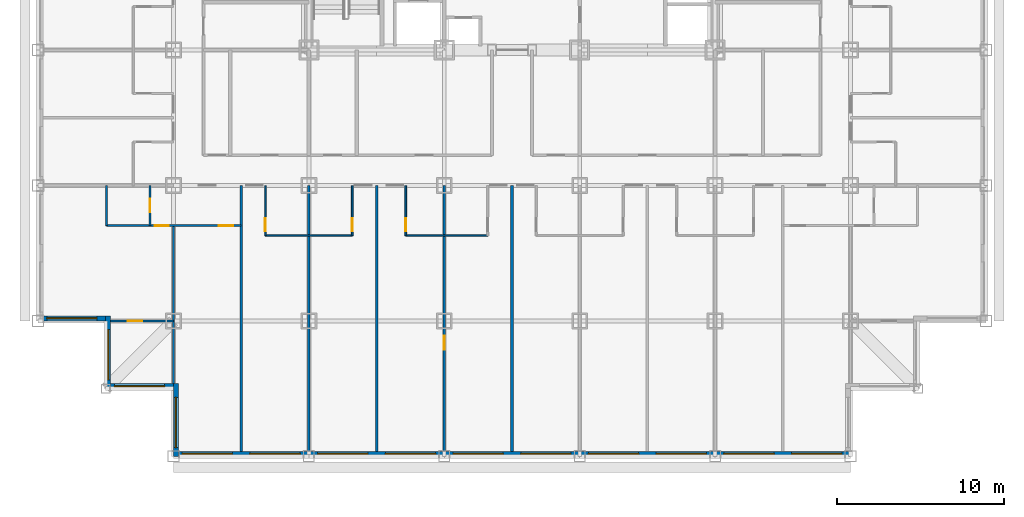
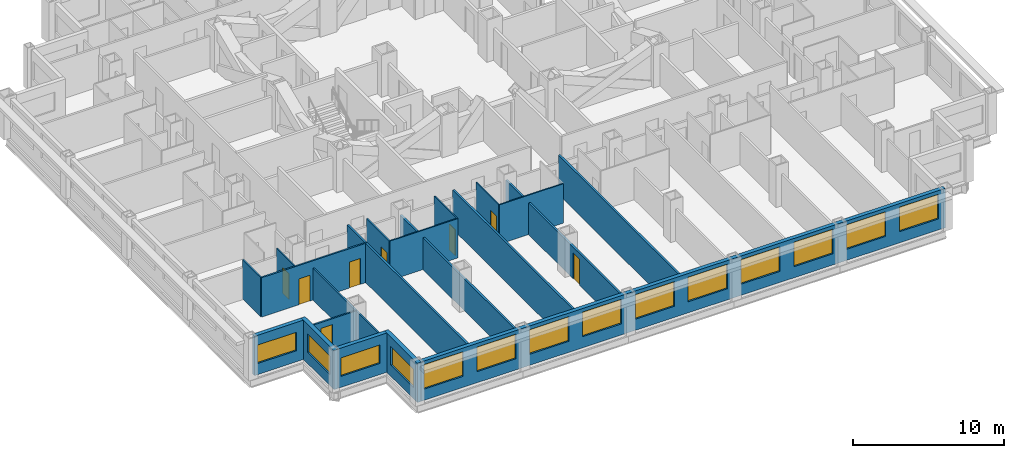
# One storey, part 3 of 12: 20 walls, 14 windows, 8 doors, 22 openings.
"""IFC4 building model written with IfcOpenShell, lengths in metres."""

from ifc_helpers import new_model, si_unit, direction, frame, frame_2d, origin, place, context, subcontext, project, spatial, rectangle, extrude, material, layer, layer_set, type_object, element, fill, save


model = new_model("IFC4")

# Units and contexts
model_context = context("Model", 3, precision=1e-05, world=origin(), true_north=direction((0.0, 1.0)))
body_context = subcontext(model_context, "Body", "Model", "MODEL_VIEW")
ifc_project = project(units=[si_unit("LENGTHUNIT", "METRE"), si_unit("AREAUNIT", "SQUARE_METRE"), si_unit("VOLUMEUNIT", "CUBIC_METRE"), si_unit("PLANEANGLEUNIT", "RADIAN"), si_unit("MASSUNIT", "GRAM", prefix="KILO")], contexts=[model_context])

# Site, building, storey
site_placement = place(None, origin())
site = spatial("IfcSite", under=ifc_project, at=site_placement, CompositionType="ELEMENT")
building_placement = place(site_placement, origin())
building = spatial("IfcBuilding", under=site, at=building_placement, Name="Kopane Lantern Tower", CompositionType="ELEMENT")
storey_placement = place(building_placement, frame((0.0, 0.0, 46.60009765625)))
storey = spatial("IfcBuildingStorey", under=building, at=storey_placement, Name="L10", CompositionType="ELEMENT", Elevation=46.60009765625)

# Wall, openings, doors
ifc_material_1 = material(Name="Gypsum board on steel studs", Category="steel")
ifc_layer_1 = layer(ifc_material_1, 0.1201171875)
ifc_layer_set_1 = layer_set([ifc_layer_1], Name="APARTMENT INTERNAL WALL 120")
wall_type_1 = type_object("IfcWallType", Name="APARTMENT INTERNAL WALL 120", PredefinedType="PARTITIONING", material=ifc_layer_set_1)
wall_1_placement = place(storey_placement, frame((4.10009765625, 13.800048828125, 0.0), z_axis=(0.0, 0.0, 1.0), x_axis=(1.0, 0.0, 0.0)))
wall_1 = element("IfcWall", 1, at=wall_1_placement, inside=storey, type_object=wall_type_1, Name="Apartment Internal Wall 120 L10", PredefinedType="PARTITIONING", context=body_context, shape_type="SweptSolid", body=[
    extrude(rectangle(XDim=8.0498046875, YDim=0.1201171875, at=frame_2d((4.02490234375, 0.0))), origin(), (0.0, 0.0, 1.0), 3.18994140625),
])
opening_1_placement = place(wall_1_placement, frame((6.72509765625, 0.0, 0.0)))
opening_1 = element("IfcOpeningElement", 2, at=opening_1_placement, cuts=wall_1, Name="Opening L10-074", PredefinedType="OPENING", context=body_context, shape_type="SweptSolid", body=[
    extrude(rectangle(XDim=0.85009765625, YDim=2.10009765625, at=frame_2d((0.425048828125, 1.050048828125))), frame((0.0, 0.070068359375, 0.0), z_axis=(0.0, -1.0, 0.0), x_axis=(1.0, 0.0, 0.0)), (0.0, 0.0, 1.0), 0.14013671875),
])
opening_2_placement = place(wall_1_placement, frame((2.875, 0.0, 0.0)))
opening_2 = element("IfcOpeningElement", 3, at=opening_2_placement, cuts=wall_1, Name="Opening L10-076", PredefinedType="OPENING", context=body_context, shape_type="SweptSolid", body=[
    extrude(rectangle(XDim=0.85009765625, YDim=2.10009765625, at=frame_2d((0.425048828125, 1.050048828125))), frame((0.0, 0.070068359375, 0.0), z_axis=(0.0, -1.0, 0.0), x_axis=(1.0, 0.0, 0.0)), (0.0, 0.0, 1.0), 0.14013671875),
])
ifc_material_2 = material(Name="Timber door set", Category="wood")
door_type_1 = type_object("IfcDoorType", Name="DOOR D4 850x2100", OperationType="SINGLE_SWING_LEFT", PredefinedType="DOOR", material=ifc_material_2)
door_1_placement = place(opening_1_placement, origin())
door_1 = element("IfcDoor", 4, at=door_1_placement, inside=storey, type_object=door_type_1, Name="Door L10-074", OperationType="SINGLE_SWING_RIGHT", OverallHeight=2.10009765625, OverallWidth=0.85009765625, PredefinedType="DOOR", context=body_context, shape_type="SweptSolid", body=[
    extrude(rectangle(XDim=0.85009765625, YDim=2.10009765625, at=frame_2d((0.425048828125, 1.050048828125))), frame((0.0, 0.02490234375, 0.0), z_axis=(0.0, -1.0, 0.0), x_axis=(1.0, 0.0, 0.0)), (0.0, 0.0, 1.0), 0.050048828125),
])
fill(opening_1, door_1)
door_2_placement = place(opening_2_placement, origin())
door_2 = element("IfcDoor", 5, at=door_2_placement, inside=storey, type_object=door_type_1, Name="Door L10-076", OperationType="SINGLE_SWING_LEFT", OverallHeight=2.10009765625, OverallWidth=0.85009765625, PredefinedType="DOOR", context=body_context, shape_type="SweptSolid", body=[
    extrude(rectangle(XDim=0.85009765625, YDim=2.10009765625, at=frame_2d((0.425048828125, 1.050048828125))), frame((0.0, 0.02490234375, 0.0), z_axis=(0.0, -1.0, 0.0), x_axis=(1.0, 0.0, 0.0)), (0.0, 0.0, 1.0), 0.050048828125),
])
fill(opening_2, door_2)

# Wall
wall_2_placement = place(storey_placement, frame((8.10009765625, 13.800048828125, 0.0), z_axis=(0.0, 0.0, 1.0), x_axis=(0.0, -1.0, 0.0)))
element("IfcWall", 6, at=wall_2_placement, inside=storey, type_object=wall_type_1, Name="Apartment Internal Wall 120 L10", PredefinedType="PARTITIONING", context=body_context, shape_type="SweptSolid", body=[
    extrude(rectangle(XDim=9.449951171875, YDim=0.1201171875, at=frame_2d((4.72509765625, 0.0))), origin(), (0.0, 0.0, 1.0), 2.57763671875),
])

# Wall, opening, door
wall_3_placement = place(storey_placement, frame((8.10009765625, 8.10009765625, 0.0), z_axis=(0.0, 0.0, 1.0), x_axis=(-1.0, 0.0, 0.0)))
wall_3 = element("IfcWall", 7, at=wall_3_placement, inside=storey, type_object=wall_type_1, Name="Apartment Internal Wall 120 L10", PredefinedType="PARTITIONING", context=body_context, shape_type="SweptSolid", body=[
    extrude(rectangle(XDim=3.75, YDim=0.1201171875, at=frame_2d((1.875, 0.0))), origin(), (0.0, 0.0, 1.0), 2.57763671875),
])
opening_3_placement = place(wall_3_placement, frame((1.875, 0.0, 0.0)))
opening_3 = element("IfcOpeningElement", 8, at=opening_3_placement, cuts=wall_3, Name="Opening L10-077", PredefinedType="OPENING", context=body_context, shape_type="SweptSolid", body=[
    extrude(rectangle(XDim=0.85009765625, YDim=2.10009765625, at=frame_2d((0.425048828125, 1.050048828125))), frame((0.0, 0.070068359375, 0.0), z_axis=(0.0, -1.0, 0.0), x_axis=(1.0, 0.0, 0.0)), (0.0, 0.0, 1.0), 0.14013671875),
])
door_3_placement = place(opening_3_placement, origin())
door_3 = element("IfcDoor", 9, at=door_3_placement, inside=storey, type_object=door_type_1, Name="Door L10-077", OperationType="SINGLE_SWING_LEFT", OverallHeight=2.10009765625, OverallWidth=0.85009765625, PredefinedType="DOOR", context=body_context, shape_type="SweptSolid", body=[
    extrude(rectangle(XDim=0.85009765625, YDim=2.10009765625, at=frame_2d((0.425048828125, 1.050048828125))), frame((0.0, 0.02490234375, 0.0), z_axis=(0.0, -1.0, 0.0), x_axis=(1.0, 0.0, 0.0)), (0.0, 0.0, 1.0), 0.050048828125),
])
fill(opening_3, door_3)

# Wall
ifc_material_3 = material(Name="Moisture-resistant board on steel studs", Category="steel")
ifc_layer_2 = layer(ifc_material_3, 0.10009765625)
ifc_layer_set_2 = layer_set([ifc_layer_2], Name="BATHROOM WALL 100")
wall_type_2 = type_object("IfcWallType", Name="BATHROOM WALL 100", PredefinedType="PARTITIONING", material=ifc_layer_set_2)
wall_4_placement = place(storey_placement, frame((13.60009765625, 13.199951171875, 0.0), z_axis=(0.0, 0.0, 1.0), x_axis=(1.0, 0.0, 0.0)))
element("IfcWall", 10, at=wall_4_placement, inside=storey, type_object=wall_type_2, Name="Bathroom Wall 100 L10", PredefinedType="PARTITIONING", context=body_context, shape_type="SweptSolid", body=[
    extrude(rectangle(XDim=5.199951171875, YDim=0.10009765625, at=frame_2d((2.60009765625, 0.0))), origin(), (0.0, 0.0, 1.0), 3.18994140625),
])

# Wall, opening, door
wall_5_placement = place(storey_placement, frame((13.60009765625, 16.199951171875, 0.0), z_axis=(0.0, 0.0, 1.0), x_axis=(0.0, -1.0, 0.0)))
wall_5 = element("IfcWall", 11, at=wall_5_placement, inside=storey, type_object=wall_type_2, Name="Bathroom Wall 100 L10", PredefinedType="PARTITIONING", context=body_context, shape_type="SweptSolid", body=[
    extrude(rectangle(XDim=3.0, YDim=0.10009765625, at=frame_2d((1.5, 0.0))), origin(), (0.0, 0.0, 1.0), 3.18994140625),
])
opening_4_placement = place(wall_5_placement, frame((1.949951171875, 0.0, 0.0)))
opening_4 = element("IfcOpeningElement", 12, at=opening_4_placement, cuts=wall_5, Name="Opening L10-016", PredefinedType="OPENING", context=body_context, shape_type="SweptSolid", body=[
    extrude(rectangle(XDim=0.800048828125, YDim=2.10009765625, at=frame_2d((0.39990234375, 1.050048828125))), frame((0.0, 0.06005859375, 0.0), z_axis=(0.0, -1.0, 0.0), x_axis=(1.0, 0.0, 0.0)), (0.0, 0.0, 1.0), 0.1201171875),
])
ifc_material_4 = material(Name="Timber door set", Category="wood")
door_type_2 = type_object("IfcDoorType", Name="DOOR D2 800x2100", OperationType="SINGLE_SWING_LEFT", PredefinedType="DOOR", material=ifc_material_4)
door_4_placement = place(opening_4_placement, origin())
door_4 = element("IfcDoor", 13, at=door_4_placement, inside=storey, type_object=door_type_2, Name="Door L10-016", OperationType="SINGLE_SWING_RIGHT", OverallHeight=2.10009765625, OverallWidth=0.800048828125, PredefinedType="DOOR", context=body_context, shape_type="SweptSolid", body=[
    extrude(rectangle(XDim=0.800048828125, YDim=2.10009765625, at=frame_2d((0.39990234375, 1.050048828125))), frame((0.0, 0.02490234375, 0.0), z_axis=(0.0, -1.0, 0.0), x_axis=(1.0, 0.0, 0.0)), (0.0, 0.0, 1.0), 0.050048828125),
])
fill(opening_4, door_4)

wall_6_placement = place(storey_placement, frame((18.800048828125, 16.199951171875, 0.0), z_axis=(0.0, 0.0, 1.0), x_axis=(0.0, -1.0, 0.0)))
wall_6 = element("IfcWall", 14, at=wall_6_placement, inside=storey, type_object=wall_type_2, Name="Bathroom Wall 100 L10", PredefinedType="PARTITIONING", context=body_context, shape_type="SweptSolid", body=[
    extrude(rectangle(XDim=3.0, YDim=0.10009765625, at=frame_2d((1.5, 0.0))), origin(), (0.0, 0.0, 1.0), 3.18994140625),
])
opening_5_placement = place(wall_6_placement, frame((1.949951171875, 0.0, 0.0)))
opening_5 = element("IfcOpeningElement", 15, at=opening_5_placement, cuts=wall_6, Name="Opening L10-018", PredefinedType="OPENING", context=body_context, shape_type="SweptSolid", body=[
    extrude(rectangle(XDim=0.800048828125, YDim=2.10009765625, at=frame_2d((0.39990234375, 1.050048828125))), frame((0.0, 0.06005859375, 0.0), z_axis=(0.0, -1.0, 0.0), x_axis=(1.0, 0.0, 0.0)), (0.0, 0.0, 1.0), 0.1201171875),
])
door_5_placement = place(opening_5_placement, origin())
door_5 = element("IfcDoor", 16, at=door_5_placement, inside=storey, type_object=door_type_2, Name="Door L10-018", OperationType="SINGLE_SWING_LEFT", OverallHeight=2.10009765625, OverallWidth=0.800048828125, PredefinedType="DOOR", context=body_context, shape_type="SweptSolid", body=[
    extrude(rectangle(XDim=0.800048828125, YDim=2.10009765625, at=frame_2d((0.39990234375, 1.050048828125))), frame((0.0, 0.02490234375, 0.0), z_axis=(0.0, -1.0, 0.0), x_axis=(1.0, 0.0, 0.0)), (0.0, 0.0, 1.0), 0.050048828125),
])
fill(opening_5, door_5)

# Wall
wall_7_placement = place(storey_placement, frame((22.0, 13.199951171875, 0.0), z_axis=(0.0, 0.0, 1.0), x_axis=(1.0, 0.0, 0.0)))
element("IfcWall", 17, at=wall_7_placement, inside=storey, type_object=wall_type_2, Name="Bathroom Wall 100 L10", PredefinedType="PARTITIONING", context=body_context, shape_type="SweptSolid", body=[
    extrude(rectangle(XDim=4.89990234375, YDim=0.10009765625, at=frame_2d((2.449951171875, 0.0))), origin(), (0.0, 0.0, 1.0), 3.18994140625),
])

# Wall, opening, door
wall_8_placement = place(storey_placement, frame((22.0, 16.199951171875, 0.0), z_axis=(0.0, 0.0, 1.0), x_axis=(0.0, -1.0, 0.0)))
wall_8 = element("IfcWall", 18, at=wall_8_placement, inside=storey, type_object=wall_type_2, Name="Bathroom Wall 100 L10", PredefinedType="PARTITIONING", context=body_context, shape_type="SweptSolid", body=[
    extrude(rectangle(XDim=3.0, YDim=0.10009765625, at=frame_2d((1.5, 0.0))), origin(), (0.0, 0.0, 1.0), 3.18994140625),
])
opening_6_placement = place(wall_8_placement, frame((1.949951171875, 0.0, 0.0)))
opening_6 = element("IfcOpeningElement", 19, at=opening_6_placement, cuts=wall_8, Name="Opening L10-020", PredefinedType="OPENING", context=body_context, shape_type="SweptSolid", body=[
    extrude(rectangle(XDim=0.800048828125, YDim=2.10009765625, at=frame_2d((0.39990234375, 1.050048828125))), frame((0.0, 0.06005859375, 0.0), z_axis=(0.0, -1.0, 0.0), x_axis=(1.0, 0.0, 0.0)), (0.0, 0.0, 1.0), 0.1201171875),
])
door_6_placement = place(opening_6_placement, origin())
door_6 = element("IfcDoor", 20, at=door_6_placement, inside=storey, type_object=door_type_2, Name="Door L10-020", OperationType="SINGLE_SWING_RIGHT", OverallHeight=2.10009765625, OverallWidth=0.800048828125, PredefinedType="DOOR", context=body_context, shape_type="SweptSolid", body=[
    extrude(rectangle(XDim=0.800048828125, YDim=2.10009765625, at=frame_2d((0.39990234375, 1.050048828125))), frame((0.0, 0.02490234375, 0.0), z_axis=(0.0, -1.0, 0.0), x_axis=(1.0, 0.0, 0.0)), (0.0, 0.0, 1.0), 0.050048828125),
])
fill(opening_6, door_6)

wall_9_placement = place(storey_placement, frame((6.699951171875, 16.199951171875, 0.0), z_axis=(0.0, 0.0, 1.0), x_axis=(0.0, -1.0, 0.0)))
wall_9 = element("IfcWall", 21, at=wall_9_placement, inside=storey, type_object=wall_type_2, Name="Bathroom Wall 100 L10", PredefinedType="PARTITIONING", context=body_context, shape_type="SweptSolid", body=[
    extrude(rectangle(XDim=2.39990234375, YDim=0.10009765625, at=frame_2d((1.199951171875, 0.0))), origin(), (0.0, 0.0, 1.0), 3.18994140625),
])
opening_7_placement = place(wall_9_placement, frame((0.800048828125, 0.0, 0.0)))
opening_7 = element("IfcOpeningElement", 22, at=opening_7_placement, cuts=wall_9, Name="Opening L10-075", PredefinedType="OPENING", context=body_context, shape_type="SweptSolid", body=[
    extrude(rectangle(XDim=0.800048828125, YDim=2.10009765625, at=frame_2d((0.39990234375, 1.050048828125))), frame((0.0, 0.06005859375, 0.0), z_axis=(0.0, -1.0, 0.0), x_axis=(1.0, 0.0, 0.0)), (0.0, 0.0, 1.0), 0.1201171875),
])
door_7_placement = place(opening_7_placement, origin())
door_7 = element("IfcDoor", 23, at=door_7_placement, inside=storey, type_object=door_type_2, Name="Door L10-075", OperationType="SINGLE_SWING_RIGHT", OverallHeight=2.10009765625, OverallWidth=0.800048828125, PredefinedType="DOOR", context=body_context, shape_type="SweptSolid", body=[
    extrude(rectangle(XDim=0.800048828125, YDim=2.10009765625, at=frame_2d((0.39990234375, 1.050048828125))), frame((0.0, 0.02490234375, 0.0), z_axis=(0.0, -1.0, 0.0), x_axis=(1.0, 0.0, 0.0)), (0.0, 0.0, 1.0), 0.050048828125),
])
fill(opening_7, door_7)

# Walls
wall_10_placement = place(storey_placement, frame((4.10009765625, 16.199951171875, 0.0), z_axis=(0.0, 0.0, 1.0), x_axis=(0.0, -1.0, 0.0)))
element("IfcWall", 24, at=wall_10_placement, inside=storey, type_object=wall_type_2, Name="Bathroom Wall 100 L10", PredefinedType="PARTITIONING", context=body_context, shape_type="SweptSolid", body=[
    extrude(rectangle(XDim=2.39990234375, YDim=0.10009765625, at=frame_2d((1.199951171875, 0.0))), origin(), (0.0, 0.0, 1.0), 3.18994140625),
])
ifc_material_5 = material(Name="Gypsum board on steel studs", Category="steel")
ifc_layer_3 = layer(ifc_material_5, 0.14990234375)
ifc_layer_set_3 = layer_set([ifc_layer_3], Name="DEMISING WALL 150 EI 60")
wall_type_3 = type_object("IfcWallType", Name="DEMISING WALL 150 EI 60", PredefinedType="PARTITIONING", material=ifc_layer_set_3)
wall_11_placement = place(storey_placement, frame((16.199951171875, 16.199951171875, 0.0), z_axis=(0.0, 0.0, 1.0), x_axis=(0.0, -1.0, 0.0)))
element("IfcWall", 25, at=wall_11_placement, inside=storey, type_object=wall_type_3, Name="Demising Wall 150 Ei 60 L10", PredefinedType="PARTITIONING", context=body_context, shape_type="SweptSolid", body=[
    extrude(rectangle(XDim=15.89990234375, YDim=0.14990234375, at=frame_2d((7.949951171875, 0.0))), origin(), (0.0, 0.0, 1.0), 2.57763671875),
])
wall_12_placement = place(storey_placement, frame((20.25, 16.199951171875, 0.0), z_axis=(0.0, 0.0, 1.0), x_axis=(0.0, -1.0, 0.0)))
element("IfcWall", 26, at=wall_12_placement, inside=storey, type_object=wall_type_3, Name="Demising Wall 150 Ei 60 L10", PredefinedType="PARTITIONING", context=body_context, shape_type="SweptSolid", body=[
    extrude(rectangle(XDim=15.89990234375, YDim=0.14990234375, at=frame_2d((7.949951171875, 0.0))), origin(), (0.0, 0.0, 1.0), 3.18994140625),
])

# Wall, opening, door
wall_13_placement = place(storey_placement, frame((24.300048828125, 16.199951171875, 0.0), z_axis=(0.0, 0.0, 1.0), x_axis=(0.0, -1.0, 0.0)))
wall_13 = element("IfcWall", 27, at=wall_13_placement, inside=storey, type_object=wall_type_3, Name="Demising Wall 150 Ei 60 L10", PredefinedType="PARTITIONING", context=body_context, shape_type="SweptSolid", body=[
    extrude(rectangle(XDim=15.89990234375, YDim=0.14990234375, at=frame_2d((7.949951171875, 0.0))), origin(), (0.0, 0.0, 1.0), 2.57763671875),
])
opening_8_placement = place(wall_13_placement, frame((8.97509765625, 0.0, 0.0)))
opening_8 = element("IfcOpeningElement", 28, at=opening_8_placement, cuts=wall_13, Name="Opening L10-024", PredefinedType="OPENING", context=body_context, shape_type="SweptSolid", body=[
    extrude(rectangle(XDim=0.85009765625, YDim=2.10009765625, at=frame_2d((0.425048828125, 1.050048828125))), frame((0.0, 0.0849609375, 0.0), z_axis=(0.0, -1.0, 0.0), x_axis=(1.0, 0.0, 0.0)), (0.0, 0.0, 1.0), 0.169921875),
])
ifc_material_6 = material(Name="Steel door set", Category="steel")
door_type_3 = type_object("IfcDoorType", Name="DOOR D11 850x2100 FD30S CONNECTING", OperationType="SINGLE_SWING_LEFT", PredefinedType="DOOR", material=ifc_material_6)
door_8_placement = place(opening_8_placement, origin())
door_8 = element("IfcDoor", 29, at=door_8_placement, inside=storey, type_object=door_type_3, Name="Door L10-024", OperationType="SINGLE_SWING_LEFT", OverallHeight=2.10009765625, OverallWidth=0.85009765625, PredefinedType="DOOR", context=body_context, shape_type="SweptSolid", body=[
    extrude(rectangle(XDim=0.85009765625, YDim=2.10009765625, at=frame_2d((0.425048828125, 1.050048828125))), frame((0.0, 0.02490234375, 0.0), z_axis=(0.0, -1.0, 0.0), x_axis=(1.0, 0.0, 0.0)), (0.0, 0.0, 1.0), 0.050048828125),
])
fill(opening_8, door_8)

# Walls
for number, where, z_axis, x_axis, name in (
    (30, (28.35009765625, 16.199951171875, 0.0), (0.0, 0.0, 1.0), (0.0, -1.0, 0.0), "Demising Wall 150 Ei 60 L10"),
    (31, (12.14990234375, 16.199951171875, 0.0), (0.0, 0.0, 1.0), (0.0, -1.0, 0.0), "Demising Wall 150 Ei 60 L10"),
):
    element("IfcWall", number, at=place(storey_placement, frame(where, z_axis=z_axis, x_axis=x_axis)), inside=storey, type_object=wall_type_3, Name=name, PredefinedType="PARTITIONING", context=body_context, shape_type="SweptSolid", body=[
        extrude(rectangle(XDim=15.89990234375, YDim=0.14990234375, at=frame_2d((7.949951171875, 0.0))), origin(), (0.0, 0.0, 1.0), 3.18994140625),
    ])

# Wall, openings, windows
ifc_material_7 = material(Name="Terracotta rainscreen on light steel framing", Category="masonry")
ifc_layer_4 = layer(ifc_material_7, 0.300048828125)
ifc_layer_set_4 = layer_set([ifc_layer_4], Name="EXTERNAL WALL EW1 300 TERRACOTTA")
wall_type_4 = type_object("IfcWallType", Name="EXTERNAL WALL EW1 300 TERRACOTTA", PredefinedType="SOLIDWALL", material=ifc_layer_set_4)
wall_14_placement = place(storey_placement, frame((8.39990234375, 0.14990234375, 0.0), z_axis=(0.0, 0.0, 1.0), x_axis=(1.0, 0.0, 0.0)))
wall_14 = element("IfcWall", 32, at=wall_14_placement, inside=storey, type_object=wall_type_4, Name="External wall S L10", PredefinedType="SOLIDWALL", context=body_context, shape_type="SweptSolid", body=[
    extrude(rectangle(XDim=40.2001953125, YDim=0.300048828125, at=frame_2d((20.10009765625, 0.0))), origin(), (0.0, 0.0, 1.0), 3.18994140625),
])
opening_9_placement = place(wall_14_placement, frame((0.22509765625, 0.0, 0.89990234375)))
opening_9 = element("IfcOpeningElement", 33, at=opening_9_placement, cuts=wall_14, Name="Opening WR300200", PredefinedType="OPENING", context=body_context, shape_type="SweptSolid", body=[
    extrude(rectangle(XDim=3.0, YDim=2.0, at=frame_2d((1.5, 1.0))), frame((0.0, 0.159912109375, 0.0), z_axis=(0.0, -1.0, 0.0), x_axis=(1.0, 0.0, 0.0)), (0.0, 0.0, 1.0), 0.320068359375),
])
opening_10_placement = place(wall_14_placement, frame((4.27490234375, 0.0, 0.89990234375)))
opening_10 = element("IfcOpeningElement", 34, at=opening_10_placement, cuts=wall_14, Name="Opening WR300200", PredefinedType="OPENING", context=body_context, shape_type="SweptSolid", body=[
    extrude(rectangle(XDim=3.0, YDim=2.0, at=frame_2d((1.5, 1.0))), frame((0.0, 0.159912109375, 0.0), z_axis=(0.0, -1.0, 0.0), x_axis=(1.0, 0.0, 0.0)), (0.0, 0.0, 1.0), 0.320068359375),
])
opening_11_placement = place(wall_14_placement, frame((8.324951171875, 0.0, 0.89990234375)))
opening_11 = element("IfcOpeningElement", 35, at=opening_11_placement, cuts=wall_14, Name="Opening WR300200", PredefinedType="OPENING", context=body_context, shape_type="SweptSolid", body=[
    extrude(rectangle(XDim=3.0, YDim=2.0, at=frame_2d((1.5, 1.0))), frame((0.0, 0.159912109375, 0.0), z_axis=(0.0, -1.0, 0.0), x_axis=(1.0, 0.0, 0.0)), (0.0, 0.0, 1.0), 0.320068359375),
])
opening_12_placement = place(wall_14_placement, frame((12.375, 0.0, 0.89990234375)))
opening_12 = element("IfcOpeningElement", 36, at=opening_12_placement, cuts=wall_14, Name="Opening WR300200", PredefinedType="OPENING", context=body_context, shape_type="SweptSolid", body=[
    extrude(rectangle(XDim=3.0, YDim=2.0, at=frame_2d((1.5, 1.0))), frame((0.0, 0.159912109375, 0.0), z_axis=(0.0, -1.0, 0.0), x_axis=(1.0, 0.0, 0.0)), (0.0, 0.0, 1.0), 0.320068359375),
])
opening_13_placement = place(wall_14_placement, frame((16.425048828125, 0.0, 0.89990234375)))
opening_13 = element("IfcOpeningElement", 37, at=opening_13_placement, cuts=wall_14, Name="Opening WR300200", PredefinedType="OPENING", context=body_context, shape_type="SweptSolid", body=[
    extrude(rectangle(XDim=3.0, YDim=2.0, at=frame_2d((1.5, 1.0))), frame((0.0, 0.159912109375, 0.0), z_axis=(0.0, -1.0, 0.0), x_axis=(1.0, 0.0, 0.0)), (0.0, 0.0, 1.0), 0.320068359375),
])
opening_14_placement = place(wall_14_placement, frame((20.47509765625, 0.0, 0.89990234375)))
opening_14 = element("IfcOpeningElement", 38, at=opening_14_placement, cuts=wall_14, Name="Opening WR300200", PredefinedType="OPENING", context=body_context, shape_type="SweptSolid", body=[
    extrude(rectangle(XDim=3.0, YDim=2.0, at=frame_2d((1.5, 1.0))), frame((0.0, 0.159912109375, 0.0), z_axis=(0.0, -1.0, 0.0), x_axis=(1.0, 0.0, 0.0)), (0.0, 0.0, 1.0), 0.320068359375),
])
opening_15_placement = place(wall_14_placement, frame((24.52490234375, 0.0, 0.89990234375)))
opening_15 = element("IfcOpeningElement", 39, at=opening_15_placement, cuts=wall_14, Name="Opening WR300200", PredefinedType="OPENING", context=body_context, shape_type="SweptSolid", body=[
    extrude(rectangle(XDim=3.0, YDim=2.0, at=frame_2d((1.5, 1.0))), frame((0.0, 0.159912109375, 0.0), z_axis=(0.0, -1.0, 0.0), x_axis=(1.0, 0.0, 0.0)), (0.0, 0.0, 1.0), 0.320068359375),
])
opening_16_placement = place(wall_14_placement, frame((28.574951171875, 0.0, 0.89990234375)))
opening_16 = element("IfcOpeningElement", 40, at=opening_16_placement, cuts=wall_14, Name="Opening WR300200", PredefinedType="OPENING", context=body_context, shape_type="SweptSolid", body=[
    extrude(rectangle(XDim=3.0, YDim=2.0, at=frame_2d((1.5, 1.0))), frame((0.0, 0.159912109375, 0.0), z_axis=(0.0, -1.0, 0.0), x_axis=(1.0, 0.0, 0.0)), (0.0, 0.0, 1.0), 0.320068359375),
])
opening_17_placement = place(wall_14_placement, frame((32.625, 0.0, 0.89990234375)))
opening_17 = element("IfcOpeningElement", 41, at=opening_17_placement, cuts=wall_14, Name="Opening WR300200", PredefinedType="OPENING", context=body_context, shape_type="SweptSolid", body=[
    extrude(rectangle(XDim=3.0, YDim=2.0, at=frame_2d((1.5, 1.0))), frame((0.0, 0.159912109375, 0.0), z_axis=(0.0, -1.0, 0.0), x_axis=(1.0, 0.0, 0.0)), (0.0, 0.0, 1.0), 0.320068359375),
])
opening_18_placement = place(wall_14_placement, frame((36.675048828125, 0.0, 0.89990234375)))
opening_18 = element("IfcOpeningElement", 42, at=opening_18_placement, cuts=wall_14, Name="Opening WR300200", PredefinedType="OPENING", context=body_context, shape_type="SweptSolid", body=[
    extrude(rectangle(XDim=3.0, YDim=2.0, at=frame_2d((1.5, 1.0))), frame((0.0, 0.159912109375, 0.0), z_axis=(0.0, -1.0, 0.0), x_axis=(1.0, 0.0, 0.0)), (0.0, 0.0, 1.0), 0.320068359375),
])
ifc_material_8 = material(Name="Aluminium and clear glass", Category="aluminium")
window_type_1 = type_object("IfcWindowType", Name="RIBBON WINDOW WR300200 3000x2000", PartitioningType="SINGLE_PANEL", PredefinedType="WINDOW", material=ifc_material_8)
window_1_placement = place(opening_9_placement, origin())
window_1 = element("IfcWindow", 43, at=window_1_placement, inside=storey, type_object=window_type_1, Name="Window S L10", OverallHeight=2.0, OverallWidth=3.0, PartitioningType="SINGLE_PANEL", PredefinedType="WINDOW", context=body_context, shape_type="SweptSolid", body=[
    extrude(rectangle(XDim=3.0, YDim=2.0, at=frame_2d((1.5, 1.0))), frame((0.0, 0.030029296875, 0.0), z_axis=(0.0, -1.0, 0.0), x_axis=(1.0, 0.0, 0.0)), (0.0, 0.0, 1.0), 0.06005859375),
])
fill(opening_9, window_1)
window_2_placement = place(opening_10_placement, origin())
window_2 = element("IfcWindow", 44, at=window_2_placement, inside=storey, type_object=window_type_1, Name="Window S L10", OverallHeight=2.0, OverallWidth=3.0, PartitioningType="SINGLE_PANEL", PredefinedType="WINDOW", context=body_context, shape_type="SweptSolid", body=[
    extrude(rectangle(XDim=3.0, YDim=2.0, at=frame_2d((1.5, 1.0))), frame((0.0, 0.030029296875, 0.0), z_axis=(0.0, -1.0, 0.0), x_axis=(1.0, 0.0, 0.0)), (0.0, 0.0, 1.0), 0.06005859375),
])
fill(opening_10, window_2)
window_3_placement = place(opening_11_placement, origin())
window_3 = element("IfcWindow", 45, at=window_3_placement, inside=storey, type_object=window_type_1, Name="Window S L10", OverallHeight=2.0, OverallWidth=3.0, PartitioningType="SINGLE_PANEL", PredefinedType="WINDOW", context=body_context, shape_type="SweptSolid", body=[
    extrude(rectangle(XDim=3.0, YDim=2.0, at=frame_2d((1.5, 1.0))), frame((0.0, 0.030029296875, 0.0), z_axis=(0.0, -1.0, 0.0), x_axis=(1.0, 0.0, 0.0)), (0.0, 0.0, 1.0), 0.06005859375),
])
fill(opening_11, window_3)
window_4_placement = place(opening_12_placement, origin())
window_4 = element("IfcWindow", 46, at=window_4_placement, inside=storey, type_object=window_type_1, Name="Window S L10", OverallHeight=2.0, OverallWidth=3.0, PartitioningType="SINGLE_PANEL", PredefinedType="WINDOW", context=body_context, shape_type="SweptSolid", body=[
    extrude(rectangle(XDim=3.0, YDim=2.0, at=frame_2d((1.5, 1.0))), frame((0.0, 0.030029296875, 0.0), z_axis=(0.0, -1.0, 0.0), x_axis=(1.0, 0.0, 0.0)), (0.0, 0.0, 1.0), 0.06005859375),
])
fill(opening_12, window_4)
window_5_placement = place(opening_13_placement, origin())
window_5 = element("IfcWindow", 47, at=window_5_placement, inside=storey, type_object=window_type_1, Name="Window S L10", OverallHeight=2.0, OverallWidth=3.0, PartitioningType="SINGLE_PANEL", PredefinedType="WINDOW", context=body_context, shape_type="SweptSolid", body=[
    extrude(rectangle(XDim=3.0, YDim=2.0, at=frame_2d((1.5, 1.0))), frame((0.0, 0.030029296875, 0.0), z_axis=(0.0, -1.0, 0.0), x_axis=(1.0, 0.0, 0.0)), (0.0, 0.0, 1.0), 0.06005859375),
])
fill(opening_13, window_5)
window_6_placement = place(opening_14_placement, origin())
window_6 = element("IfcWindow", 48, at=window_6_placement, inside=storey, type_object=window_type_1, Name="Window S L10", OverallHeight=2.0, OverallWidth=3.0, PartitioningType="SINGLE_PANEL", PredefinedType="WINDOW", context=body_context, shape_type="SweptSolid", body=[
    extrude(rectangle(XDim=3.0, YDim=2.0, at=frame_2d((1.5, 1.0))), frame((0.0, 0.030029296875, 0.0), z_axis=(0.0, -1.0, 0.0), x_axis=(1.0, 0.0, 0.0)), (0.0, 0.0, 1.0), 0.06005859375),
])
fill(opening_14, window_6)
window_7_placement = place(opening_15_placement, origin())
window_7 = element("IfcWindow", 49, at=window_7_placement, inside=storey, type_object=window_type_1, Name="Window S L10", OverallHeight=2.0, OverallWidth=3.0, PartitioningType="SINGLE_PANEL", PredefinedType="WINDOW", context=body_context, shape_type="SweptSolid", body=[
    extrude(rectangle(XDim=3.0, YDim=2.0, at=frame_2d((1.5, 1.0))), frame((0.0, 0.030029296875, 0.0), z_axis=(0.0, -1.0, 0.0), x_axis=(1.0, 0.0, 0.0)), (0.0, 0.0, 1.0), 0.06005859375),
])
fill(opening_15, window_7)
window_8_placement = place(opening_16_placement, origin())
window_8 = element("IfcWindow", 50, at=window_8_placement, inside=storey, type_object=window_type_1, Name="Window S L10", OverallHeight=2.0, OverallWidth=3.0, PartitioningType="SINGLE_PANEL", PredefinedType="WINDOW", context=body_context, shape_type="SweptSolid", body=[
    extrude(rectangle(XDim=3.0, YDim=2.0, at=frame_2d((1.5, 1.0))), frame((0.0, 0.030029296875, 0.0), z_axis=(0.0, -1.0, 0.0), x_axis=(1.0, 0.0, 0.0)), (0.0, 0.0, 1.0), 0.06005859375),
])
fill(opening_16, window_8)
window_9_placement = place(opening_17_placement, origin())
window_9 = element("IfcWindow", 51, at=window_9_placement, inside=storey, type_object=window_type_1, Name="Window S L10", OverallHeight=2.0, OverallWidth=3.0, PartitioningType="SINGLE_PANEL", PredefinedType="WINDOW", context=body_context, shape_type="SweptSolid", body=[
    extrude(rectangle(XDim=3.0, YDim=2.0, at=frame_2d((1.5, 1.0))), frame((0.0, 0.030029296875, 0.0), z_axis=(0.0, -1.0, 0.0), x_axis=(1.0, 0.0, 0.0)), (0.0, 0.0, 1.0), 0.06005859375),
])
fill(opening_17, window_9)
window_10_placement = place(opening_18_placement, origin())
window_10 = element("IfcWindow", 52, at=window_10_placement, inside=storey, type_object=window_type_1, Name="Window S L10", OverallHeight=2.0, OverallWidth=3.0, PartitioningType="SINGLE_PANEL", PredefinedType="WINDOW", context=body_context, shape_type="SweptSolid", body=[
    extrude(rectangle(XDim=3.0, YDim=2.0, at=frame_2d((1.5, 1.0))), frame((0.0, 0.030029296875, 0.0), z_axis=(0.0, -1.0, 0.0), x_axis=(1.0, 0.0, 0.0)), (0.0, 0.0, 1.0), 0.06005859375),
])
fill(opening_18, window_10)

# Wall, opening, window
wall_15_placement = place(storey_placement, frame((0.300048828125, 8.25, 0.0), z_axis=(0.0, 0.0, 1.0), x_axis=(1.0, 0.0, 0.0)))
wall_15 = element("IfcWall", 53, at=wall_15_placement, inside=storey, type_object=wall_type_4, Name="External wall S L10", PredefinedType="SOLIDWALL", context=body_context, shape_type="SweptSolid", body=[
    extrude(rectangle(XDim=3.75, YDim=0.300048828125, at=frame_2d((1.875, 0.0))), origin(), (0.0, 0.0, 1.0), 3.18994140625),
])
opening_19_placement = place(wall_15_placement, frame((0.22509765625, 0.0, 0.89990234375)))
opening_19 = element("IfcOpeningElement", 54, at=opening_19_placement, cuts=wall_15, Name="Opening WR300150", PredefinedType="OPENING", context=body_context, shape_type="SweptSolid", body=[
    extrude(rectangle(XDim=3.0, YDim=1.5, at=frame_2d((1.5, 0.75))), frame((0.0, 0.159912109375, 0.0), z_axis=(0.0, -1.0, 0.0), x_axis=(1.0, 0.0, 0.0)), (0.0, 0.0, 1.0), 0.320068359375),
])
ifc_material_9 = material(Name="Aluminium and clear glass", Category="aluminium")
window_type_2 = type_object("IfcWindowType", Name="RIBBON WINDOW WR300150 3000x1500", PartitioningType="SINGLE_PANEL", PredefinedType="WINDOW", material=ifc_material_9)
window_11_placement = place(opening_19_placement, origin())
window_11 = element("IfcWindow", 55, at=window_11_placement, inside=storey, type_object=window_type_2, Name="Window S L10", OverallHeight=1.5, OverallWidth=3.0, PartitioningType="SINGLE_PANEL", PredefinedType="WINDOW", context=body_context, shape_type="SweptSolid", body=[
    extrude(rectangle(XDim=3.0, YDim=1.5, at=frame_2d((1.5, 0.75))), frame((0.0, 0.030029296875, 0.0), z_axis=(0.0, -1.0, 0.0), x_axis=(1.0, 0.0, 0.0)), (0.0, 0.0, 1.0), 0.06005859375),
])
fill(opening_19, window_11)

wall_16_placement = place(storey_placement, frame((4.199951171875, 8.39990234375, 0.0), z_axis=(0.0, 0.0, 1.0), x_axis=(0.0, -1.0, 0.0)))
wall_16 = element("IfcWall", 56, at=wall_16_placement, inside=storey, type_object=wall_type_4, Name="External wall W L10", PredefinedType="SOLIDWALL", context=body_context, shape_type="SweptSolid", body=[
    extrude(rectangle(XDim=4.349853515625, YDim=0.300048828125, at=frame_2d((2.1748046875, 0.0))), origin(), (0.0, 0.0, 1.0), 3.18994140625),
])
opening_20_placement = place(wall_16_placement, frame((0.824951171875, 0.0, 0.89990234375)))
opening_20 = element("IfcOpeningElement", 57, at=opening_20_placement, cuts=wall_16, Name="Opening WR300150", PredefinedType="OPENING", context=body_context, shape_type="SweptSolid", body=[
    extrude(rectangle(XDim=3.0, YDim=1.5, at=frame_2d((1.5, 0.75))), frame((0.0, 0.159912109375, 0.0), z_axis=(0.0, -1.0, 0.0), x_axis=(1.0, 0.0, 0.0)), (0.0, 0.0, 1.0), 0.320068359375),
])
window_12_placement = place(opening_20_placement, origin())
window_12 = element("IfcWindow", 58, at=window_12_placement, inside=storey, type_object=window_type_2, Name="Window W L10", OverallHeight=1.5, OverallWidth=3.0, PartitioningType="SINGLE_PANEL", PredefinedType="WINDOW", context=body_context, shape_type="SweptSolid", body=[
    extrude(rectangle(XDim=3.0, YDim=1.5, at=frame_2d((1.5, 0.75))), frame((0.0, 0.030029296875, 0.0), z_axis=(0.0, -1.0, 0.0), x_axis=(1.0, 0.0, 0.0)), (0.0, 0.0, 1.0), 0.06005859375),
])
fill(opening_20, window_12)

wall_17_placement = place(storey_placement, frame((4.35009765625, 4.199951171875, 0.0), z_axis=(0.0, 0.0, 1.0), x_axis=(1.0, 0.0, 0.0)))
wall_17 = element("IfcWall", 59, at=wall_17_placement, inside=storey, type_object=wall_type_4, Name="External wall S L10", PredefinedType="SOLIDWALL", context=body_context, shape_type="SweptSolid", body=[
    extrude(rectangle(XDim=3.75, YDim=0.300048828125, at=frame_2d((1.875, 0.0))), origin(), (0.0, 0.0, 1.0), 3.18994140625),
])
opening_21_placement = place(wall_17_placement, frame((0.22509765625, 0.0, 0.89990234375)))
opening_21 = element("IfcOpeningElement", 60, at=opening_21_placement, cuts=wall_17, Name="Opening WR300150", PredefinedType="OPENING", context=body_context, shape_type="SweptSolid", body=[
    extrude(rectangle(XDim=3.0, YDim=1.5, at=frame_2d((1.5, 0.75))), frame((0.0, 0.159912109375, 0.0), z_axis=(0.0, -1.0, 0.0), x_axis=(1.0, 0.0, 0.0)), (0.0, 0.0, 1.0), 0.320068359375),
])
window_13_placement = place(opening_21_placement, origin())
window_13 = element("IfcWindow", 61, at=window_13_placement, inside=storey, type_object=window_type_2, Name="Window S L10", OverallHeight=1.5, OverallWidth=3.0, PartitioningType="SINGLE_PANEL", PredefinedType="WINDOW", context=body_context, shape_type="SweptSolid", body=[
    extrude(rectangle(XDim=3.0, YDim=1.5, at=frame_2d((1.5, 0.75))), frame((0.0, 0.030029296875, 0.0), z_axis=(0.0, -1.0, 0.0), x_axis=(1.0, 0.0, 0.0)), (0.0, 0.0, 1.0), 0.06005859375),
])
fill(opening_21, window_13)

wall_18_placement = place(storey_placement, frame((8.25, 4.35009765625, 0.0), z_axis=(0.0, 0.0, 1.0), x_axis=(0.0, -1.0, 0.0)))
wall_18 = element("IfcWall", 62, at=wall_18_placement, inside=storey, type_object=wall_type_4, Name="External wall W L10", PredefinedType="SOLIDWALL", context=body_context, shape_type="SweptSolid", body=[
    extrude(rectangle(XDim=4.35009765625, YDim=0.300048828125, at=frame_2d((2.175048828125, 0.0))), origin(), (0.0, 0.0, 1.0), 3.18994140625),
])
opening_22_placement = place(wall_18_placement, frame((0.824951171875, 0.0, 0.89990234375)))
opening_22 = element("IfcOpeningElement", 63, at=opening_22_placement, cuts=wall_18, Name="Opening WR300150", PredefinedType="OPENING", context=body_context, shape_type="SweptSolid", body=[
    extrude(rectangle(XDim=3.0, YDim=1.5, at=frame_2d((1.5, 0.75))), frame((0.0, 0.159912109375, 0.0), z_axis=(0.0, -1.0, 0.0), x_axis=(1.0, 0.0, 0.0)), (0.0, 0.0, 1.0), 0.320068359375),
])
window_14_placement = place(opening_22_placement, origin())
window_14 = element("IfcWindow", 64, at=window_14_placement, inside=storey, type_object=window_type_2, Name="Window W L10", OverallHeight=1.5, OverallWidth=3.0, PartitioningType="SINGLE_PANEL", PredefinedType="WINDOW", context=body_context, shape_type="SweptSolid", body=[
    extrude(rectangle(XDim=3.0, YDim=1.5, at=frame_2d((1.5, 0.75))), frame((0.0, 0.030029296875, 0.0), z_axis=(0.0, -1.0, 0.0), x_axis=(1.0, 0.0, 0.0)), (0.0, 0.0, 1.0), 0.06005859375),
])
fill(opening_22, window_14)

save(model, "model.ifc")
